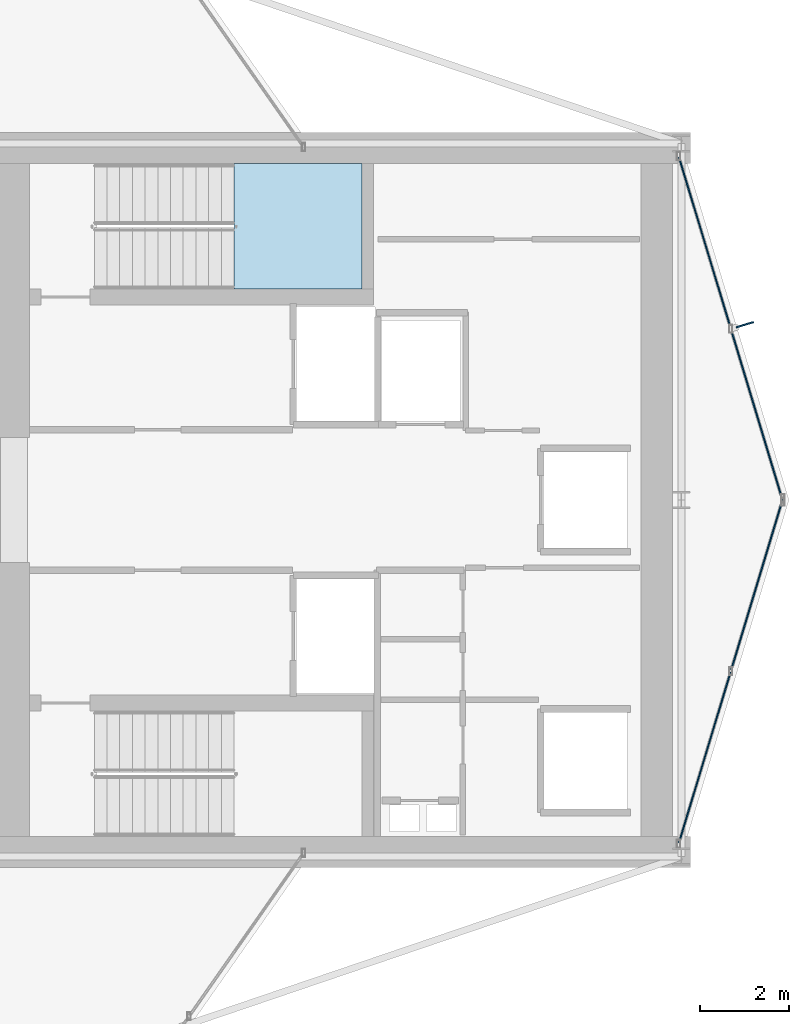
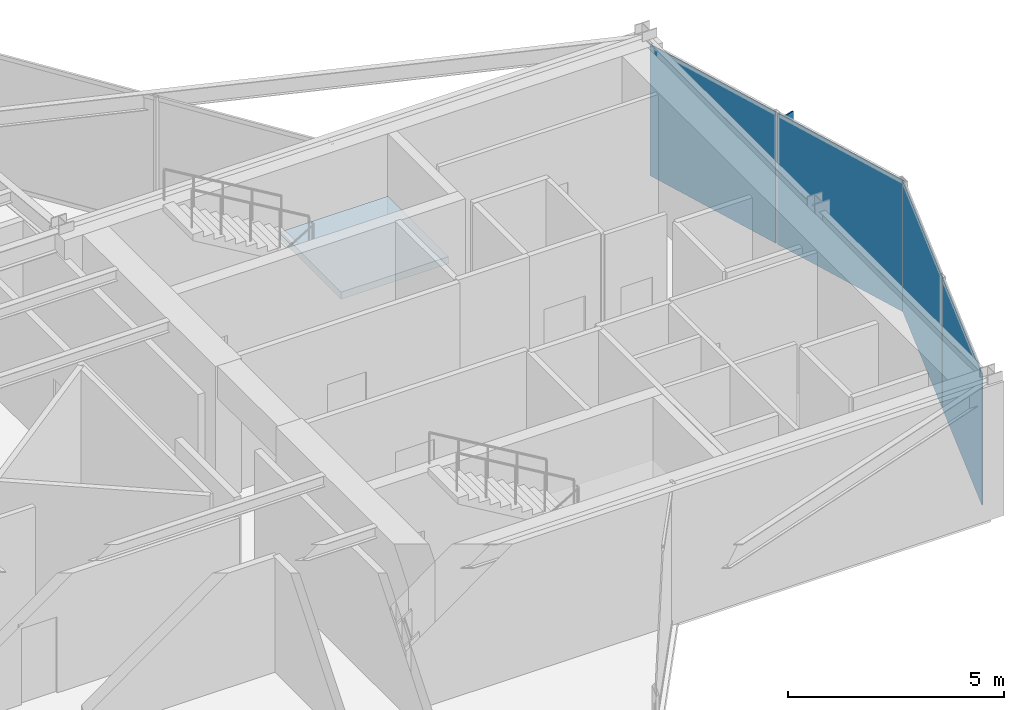
# One storey, part 19 of 22: 5 plates, 1 slab, 3 elements without a shape of their own.
"""IFC4 building model written with IfcOpenShell, lengths in metres."""

from ifc_helpers import new_model, si_unit, direction, frame, origin, origin_2d, place, context, subcontext, project, spatial, polyline, rectangle, outline, extrude, material, layer, layer_set, type_object, element, aggregate, save


model = new_model("IFC4")

# Units and contexts
model_context = context("Model", 3, precision=1e-05, world=origin(), true_north=direction((0.0, 1.0)))
body_context = subcontext(model_context, "Body", "Model", "MODEL_VIEW")
ifc_project = project(units=[si_unit("LENGTHUNIT", "METRE"), si_unit("AREAUNIT", "SQUARE_METRE"), si_unit("VOLUMEUNIT", "CUBIC_METRE"), si_unit("PLANEANGLEUNIT", "RADIAN"), si_unit("MASSUNIT", "GRAM", prefix="KILO")], contexts=[model_context])

# Site, building, storey
site_placement = place(None, origin())
site = spatial("IfcSite", under=ifc_project, at=site_placement, CompositionType="ELEMENT")
building_placement = place(site_placement, origin())
building = spatial("IfcBuilding", under=site, at=building_placement, Name="Veymaron Broadcast Tower", CompositionType="ELEMENT")
storey_placement = place(building_placement, frame((0.0, 0.0, 216.14990234375)))
storey = spatial("IfcBuildingStorey", under=building, at=storey_placement, Name="L50", CompositionType="ELEMENT", Elevation=216.14990234375)

# Curtain wall, plates
ifc_material_1 = material(Name="Anodised aluminium AA 6063-T6 and laminated low-E dark glass", Category="aluminium")
ifc_layer_1 = layer(ifc_material_1, 0.179931640625)
ifc_layer_set_1 = layer_set([ifc_layer_1], Name="Anodised aluminium AA 6063-T6 and laminated low-E dark glass")
curtain_wall_type = type_object("IfcCurtainWallType", Name="CW-SYS-05", PredefinedType="NOTDEFINED", material=ifc_layer_set_1)
curtain_wall_1_placement = place(storey_placement, origin())
curtain_wall_1 = element("IfcCurtainWall", 1, at=curtain_wall_1_placement, inside=storey, type_object=curtain_wall_type, Name="L50 dark-glass curtain wall CW-L50-E2-1", PredefinedType="NOTDEFINED")
ifc_material_2 = material(Name="Double-silver solar-control dark glass IGU 32 mm", Category="glass")
ifc_layer_2 = layer(ifc_material_2, 0.031982421875)
ifc_layer_set_2 = layer_set([ifc_layer_2], Name="Double-silver solar-control dark glass IGU 32 mm")
plate_type_1 = type_object("IfcPlateType", Name="CW-PNL-02", PredefinedType="CURTAIN_PANEL", material=ifc_layer_set_2)
plate_1_placement = place(storey_placement, frame((55.125, 18.22314453125, 0.0400390625), z_axis=(0.0, 0.0, 1.0), x_axis=(0.288998380014, 0.957329586062, 0.0)))
plate_1 = element("IfcPlate", 2, at=plate_1_placement, type_object=plate_type_1, Name="CW-L50-E2-1 unitised curtain panel 0", PredefinedType="CURTAIN_PANEL", context=body_context, shape_type="SweptSolid", body=[
    extrude(rectangle(XDim=3.9912109375, YDim=0.031982421875, at=origin_2d()), origin(), (0.0, 0.0, 1.0), 3.7099609375),
])
plate_2_placement = place(storey_placement, frame((56.295654296875, 22.101318359375, 0.0400390625), z_axis=(0.0, 0.0, 1.0), x_axis=(0.288998380014, 0.957329586062, 0.0)))
plate_2 = element("IfcPlate", 3, at=plate_2_placement, type_object=plate_type_1, Name="CW-L50-E2-1 unitised curtain panel 1", PredefinedType="CURTAIN_PANEL", context=body_context, shape_type="SweptSolid", body=[
    extrude(rectangle(XDim=3.9912109375, YDim=0.031982421875, at=origin_2d()), origin(), (0.0, 0.0, 1.0), 3.7099609375),
])
aggregate(curtain_wall_1, [plate_1, plate_2])

curtain_wall_2_placement = place(storey_placement, origin())
curtain_wall_2 = element("IfcCurtainWall", 4, at=curtain_wall_2_placement, inside=storey, type_object=curtain_wall_type, Name="L50 dark-glass curtain wall CW-L50-E3-1", PredefinedType="NOTDEFINED")
plate_3_placement = place(storey_placement, frame((56.295654296875, 25.898681640625, 0.0400390625), z_axis=(0.0, 0.0, 1.0), x_axis=(-0.288998380014, 0.957329586062, 0.0)))
plate_3 = element("IfcPlate", 5, at=plate_3_placement, type_object=plate_type_1, Name="CW-L50-E3-1 unitised curtain panel 0", PredefinedType="CURTAIN_PANEL", context=body_context, shape_type="SweptSolid", body=[
    extrude(rectangle(XDim=3.9912109375, YDim=0.031982421875, at=origin_2d()), origin(), (0.0, 0.0, 1.0), 3.7099609375),
])
plate_4_placement = place(storey_placement, frame((55.125, 29.77685546875, 0.0400390625), z_axis=(0.0, 0.0, 1.0), x_axis=(-0.288998380014, 0.957329586062, 0.0)))
plate_4 = element("IfcPlate", 6, at=plate_4_placement, type_object=plate_type_1, Name="CW-L50-E3-1 unitised curtain panel 1", PredefinedType="CURTAIN_PANEL", context=body_context, shape_type="SweptSolid", body=[
    extrude(rectangle(XDim=3.9912109375, YDim=0.031982421875, at=origin_2d()), origin(), (0.0, 0.0, 1.0), 3.7099609375),
])
aggregate(curtain_wall_2, [plate_3, plate_4])

# Plate
ifc_material_3 = material(Name="Dark-anodised aluminium AA 6061-T6", Category="aluminium")
ifc_layer_3 = layer(ifc_material_3, 0.031982421875)
ifc_layer_set_3 = layer_set([ifc_layer_3], Name="Dark-anodised aluminium AA 6061-T6")
plate_type_2 = type_object("IfcPlateType", Name="FIN-CHEV-03", PredefinedType="USERDEFINED", material=ifc_layer_set_3)
plate_5_placement = place(storey_placement, frame((56.026123046875, 27.93310546875, 0.26513671875), z_axis=(0.0, 0.0, 1.0), x_axis=(0.957329586062, 0.288998380014, 0.0)))
element("IfcPlate", 7, at=plate_5_placement, inside=storey, type_object=plate_type_2, Name="CW-L50-E3-1 chevron fin 1", ObjectType="FIN", PredefinedType="USERDEFINED", context=body_context, shape_type="SweptSolid", body=[
    extrude(rectangle(XDim=0.39990234375, YDim=0.034912109375, at=origin_2d()), origin(), (0.0, 0.0, 1.0), 3.259521484375),
])

# Stair, slab
ifc_material_4 = material(Name="Concrete C50/60", Category="concrete")
stair_type = type_object("IfcStairType", Name="STAIR-CORE-1", PredefinedType="HALF_TURN_STAIR", material=ifc_material_4)
stair_placement = place(storey_placement, origin())
stair = element("IfcStair", 8, at=stair_placement, inside=storey, type_object=stair_type, Name="L50 North protected dog-leg exit stair ST1", PredefinedType="HALF_TURN_STAIR")
ifc_layer_4 = layer(ifc_material_4, 0.199951171875)
ifc_layer_set_4 = layer_set([ifc_layer_4], Name="Concrete C50/60")
slab_type = type_object("IfcSlabType", Name="SLAB-STAIR-LDG", PredefinedType="LANDING", material=ifc_layer_set_4)
slab_placement = place(storey_placement, frame((0.0, 0.0, 1.8251953125)))
slab = element("IfcSlab", 9, at=slab_placement, type_object=slab_type, Name="ST1 landing 1", PredefinedType="LANDING", context=body_context, shape_type="SweptSolid", body=[
    extrude(outline(polyline([(44.56494140625, 28.72998046875), (47.43994140625, 28.72998046875), (47.43994140625, 31.550048828125), (44.56494140625, 31.550048828125), (44.56494140625, 28.72998046875)])), origin(), (0.0, 0.0, 1.0), 0.199951171875),
])
aggregate(stair, [slab])

save(model, "model.ifc")
